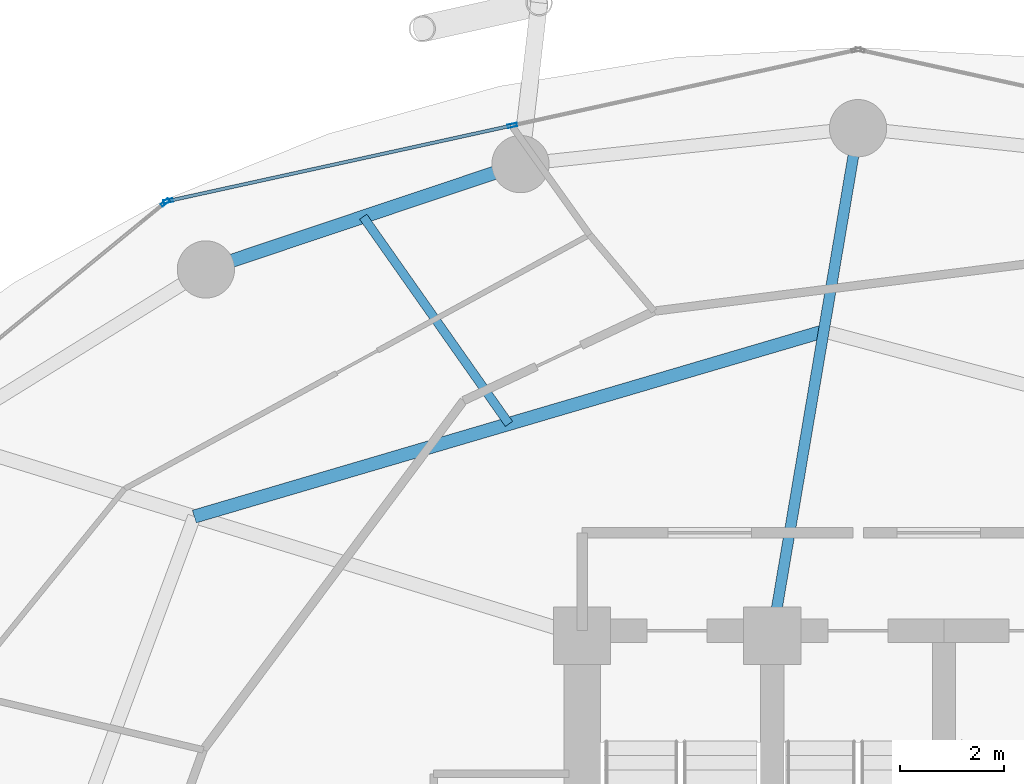
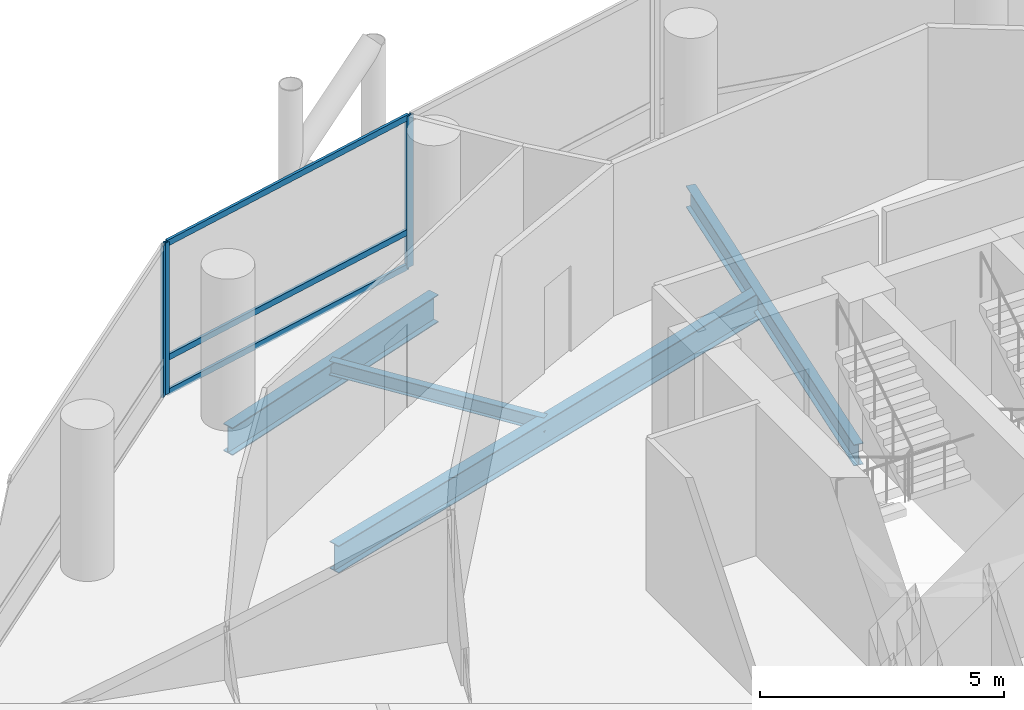
# One storey, part 15 of 24: 6 members, 4 beams, 2 elements without a shape of their own.
"""IFC4 building model written with IfcOpenShell, lengths in metres."""

import ifcopenshell
import ifcopenshell.guid

model = None  # the IFC model being written
_history = None  # IfcOwnerHistory: only IFC2X3 demands one
_inside = {}  # id of a spatial element -> (the spatial element, [elements in it])
_under = {}  # id of a project, library or spatial element -> (it, [spatial elements below it])
_declared = {}  # id of a project -> (the project, [libraries it declares])
_typed = {}  # id of a type object -> (the type object, [elements of that type])
_made_of = {}  # id of a material, layer set ... -> (it, [elements and type objects made of it])


def new_model(schema):
    """Start an empty IFC model of exactly this schema.

    Asked for "IFC4X3", IfcOpenShell would pick the latest addendum, in which some entities
    have other attributes; the version numbers below select the first issue.
    IFC2X3 requires an IfcOwnerHistory on every rooted entity: one is made here for all.
    """
    global model, _history
    if schema == "IFC4X3":
        model = ifcopenshell.file(schema_version=(4, 3, 0, 0))
    else:
        model = ifcopenshell.file(schema=schema)
    _inside.clear()
    _under.clear()
    _declared.clear()
    _typed.clear()
    _made_of.clear()
    _history = None
    if model.schema == "IFC2X3":
        org = make("IfcOrganization", Name="unknown")
        user = make(
            "IfcPersonAndOrganization",
            ThePerson=make("IfcPerson", FamilyName="unknown"),
            TheOrganization=org,
        )
        app = make(
            "IfcApplication",
            ApplicationDeveloper=org,
            Version="unknown",
            ApplicationFullName="unknown",
            ApplicationIdentifier="unknown",
        )
        _history = make(
            "IfcOwnerHistory",
            OwningUser=user,
            OwningApplication=app,
            ChangeAction="ADDED",
            CreationDate=0,
        )
    return model


def make(cls, **values):
    """One entity of the class cls with the attributes given. An attribute that is None is left unset."""
    return model.create_entity(
        cls, **{name: value for name, value in values.items() if value is not None}
    )


def rooted(cls, **values):
    """An entity with a GlobalId (a new one), such as an element, a storey or a relation."""
    return make(cls, GlobalId=ifcopenshell.guid.new(), OwnerHistory=_history, **values)


def si_unit(unit_type, name, prefix=None):
    """IfcSIUnit, for example si_unit("LENGTHUNIT", "METRE", prefix="MILLI")."""
    return make("IfcSIUnit", UnitType=unit_type, Prefix=prefix, Name=name)


def assignment(units):
    """IfcUnitAssignment: the units of a project."""
    return None if units is None else make("IfcUnitAssignment", Units=units)


def point(xyz):
    """IfcCartesianPoint."""
    return None if xyz is None else make("IfcCartesianPoint", Coordinates=xyz)


def direction(xyz):
    """IfcDirection."""
    return None if xyz is None else make("IfcDirection", DirectionRatios=xyz)


def frame(location, z_axis=None, x_axis=None):
    """IfcAxis2Placement3D, a coordinate frame: its origin and axes. An axis left out is left unset."""
    return make(
        "IfcAxis2Placement3D",
        Location=point(location),
        Axis=direction(z_axis),
        RefDirection=direction(x_axis),
    )


def frame_2d(location, x_axis=None):
    """IfcAxis2Placement2D, a coordinate frame in the plane: its origin and x axis."""
    return make(
        "IfcAxis2Placement2D", Location=point(location), RefDirection=direction(x_axis)
    )


def origin():
    """The frame at (0, 0, 0) with its axes left unset."""
    return frame((0.0, 0.0, 0.0))


def origin_2d():
    """The frame at (0, 0) in the plane with its x axis left unset."""
    return frame_2d((0.0, 0.0))


def place(relative_to, where):
    """IfcLocalPlacement: puts the frame where relative to a parent placement (None: the world)."""
    return make(
        "IfcLocalPlacement", PlacementRelTo=relative_to, RelativePlacement=where
    )


def context(
    kind, dimensions, precision=None, world=None, true_north=None, identifier=None
):
    """IfcGeometricRepresentationContext, for example the 3D "Model" context."""
    return make(
        "IfcGeometricRepresentationContext",
        ContextIdentifier=identifier,
        ContextType=kind,
        CoordinateSpaceDimension=dimensions,
        Precision=precision,
        WorldCoordinateSystem=world,
        TrueNorth=true_north,
    )


def subcontext(parent, identifier, kind, view, scale=None):
    """IfcGeometricRepresentationSubContext, for example "Body" below "Model"."""
    return make(
        "IfcGeometricRepresentationSubContext",
        ContextIdentifier=identifier,
        ContextType=kind,
        ParentContext=parent,
        TargetScale=scale,
        TargetView=view,
    )


def project(units=None, contexts=None):
    """IfcProject with its units and contexts."""
    return rooted(
        "IfcProject",
        Name="project",
        RepresentationContexts=contexts,
        UnitsInContext=assignment(units),
    )


def spatial(cls, under=None, at=None, **own):
    """A site, building, storey or space (cls), placed at a placement, below another one or the project."""
    s = rooted(cls, ObjectPlacement=at, **own)
    if under is not None:
        _under.setdefault(under.id(), (under, []))[1].append(s)
    return s


def profile(cls, at=None, kind="AREA", **sizes):
    """A parametric profile (cls). Its sizes go by their IFC names, for example OverallWidth=200.0."""
    return make(cls, ProfileType=kind, Position=at, **sizes)


def hollow_rectangle(**sizes):
    """IfcRectangleHollowProfileDef."""
    return profile("IfcRectangleHollowProfileDef", **sizes)


def i_section(**sizes):
    """IfcIShapeProfileDef."""
    return profile("IfcIShapeProfileDef", **sizes)


def extrude(swept, where, along, depth):
    """IfcExtrudedAreaSolid: the profile swept, set in the frame where, extruded along a direction by depth."""
    return make(
        "IfcExtrudedAreaSolid",
        SweptArea=swept,
        Position=where,
        ExtrudedDirection=direction(along),
        Depth=depth,
    )


def shape(context_of_items, identifier, shape_type, items):
    """IfcShapeRepresentation: the items that make up one representation, for example the "Body"."""
    return make(
        "IfcShapeRepresentation",
        ContextOfItems=context_of_items,
        RepresentationIdentifier=identifier,
        RepresentationType=shape_type,
        Items=items,
    )


def material(Name=None, Category=None):
    """IfcMaterial."""
    return make("IfcMaterial", Name=Name, Category=Category)


def layer(
    of_material, thickness, ventilated=None, Name=None, Category=None, Priority=None
):
    """IfcMaterialLayer: one layer of a wall or slab, of a material (None: an air gap)."""
    return make(
        "IfcMaterialLayer",
        Material=of_material,
        LayerThickness=thickness,
        IsVentilated=ventilated,
        Name=Name,
        Category=Category,
        Priority=Priority,
    )


def layer_set(layers, Name=None):
    """IfcMaterialLayerSet."""
    return make("IfcMaterialLayerSet", MaterialLayers=layers, LayerSetName=Name)


def material_profile(
    of_material, cross_section, Name=None, Category=None, Priority=None
):
    """IfcMaterialProfile: a cross section and its material."""
    return make(
        "IfcMaterialProfile",
        Name=Name,
        Material=of_material,
        Profile=cross_section,
        Priority=Priority,
        Category=Category,
    )


def profile_set(profiles, Name=None, composite=None):
    """IfcMaterialProfileSet."""
    return make(
        "IfcMaterialProfileSet",
        Name=Name,
        MaterialProfiles=profiles,
        CompositeProfile=composite,
    )


def made_of(thing, what):
    """Note that an element or type object is made of a material, layer set ...; save() writes the relation."""
    if what is not None:
        _made_of.setdefault(what.id(), (what, []))[1].append(thing)
    return thing


def type_object(cls, material=None, **own):
    """A type object (cls), such as IfcWallType, which elements share."""
    return made_of(rooted(cls, **own), material)


def element(
    cls,
    number,
    at=None,
    inside=None,
    cuts=None,
    type_object=None,
    material=None,
    context=None,
    identifier="Body",
    shape_type=None,
    held_by="IfcProductDefinitionShape",
    body=None,
    shapes=None,
    **own,
):
    """One element of the class cls, such as IfcWall. Its Tag is "e" and its number.

    at: its placement. inside: the storey or other place that contains it. cuts: it is an
    opening in that element (IfcRelVoidsElement). A single representation is given by context,
    identifier, shape_type and body (its items); several are given by shapes. held_by: the class
    of the entity that holds the representations. save() writes the other relations.
    """
    e = rooted(cls, Tag="e%d" % number, ObjectPlacement=at, **own)
    if body is not None:
        shapes = [shape(context, identifier, shape_type, body)]
    if shapes is not None:
        e.Representation = make(held_by, Representations=shapes)
    if inside is not None:
        _inside.setdefault(inside.id(), (inside, []))[1].append(e)
    if cuts is not None:
        rooted(
            "IfcRelVoidsElement", RelatingBuildingElement=cuts, RelatedOpeningElement=e
        )
    if type_object is not None:
        _typed.setdefault(type_object.id(), (type_object, []))[1].append(e)
    return made_of(e, material)


def aggregate(whole, parts):
    """IfcRelAggregates: a whole, such as a stair, and the parts it consists of."""
    return rooted("IfcRelAggregates", RelatingObject=whole, RelatedObjects=parts)


def save(model, path):
    """Write the relations noted so far, then the file.

    IfcRelAggregates (storeys below a building ...), IfcRelContainedInSpatialStructure (elements
    in a storey), IfcRelDefinesByType, IfcRelAssociatesMaterial and IfcRelDeclares: one each for
    every whole, place, type object, material and project.
    """
    for whole, parts in _under.values():
        aggregate(whole, parts)
    for where, things in _inside.values():
        rooted(
            "IfcRelContainedInSpatialStructure",
            RelatedElements=things,
            RelatingStructure=where,
        )
    for kind, things in _typed.values():
        rooted("IfcRelDefinesByType", RelatedObjects=things, RelatingType=kind)
    for what, things in _made_of.values():
        rooted("IfcRelAssociatesMaterial", RelatedObjects=things, RelatingMaterial=what)
    for by, libraries in _declared.values():
        rooted("IfcRelDeclares", RelatingContext=by, RelatedDefinitions=libraries)
    model.write(path)


model = new_model("IFC4")

# Units and contexts
model_context = context("Model", 3, precision=1e-05, world=origin(), true_north=direction((0.0, 1.0)))
body_context = subcontext(model_context, "Body", "Model", "MODEL_VIEW")
ifc_project = project(units=[si_unit("LENGTHUNIT", "METRE"), si_unit("AREAUNIT", "SQUARE_METRE"), si_unit("VOLUMEUNIT", "CUBIC_METRE"), si_unit("PLANEANGLEUNIT", "RADIAN"), si_unit("MASSUNIT", "GRAM", prefix="KILO")], contexts=[model_context])

# Site, building, storey
site_placement = place(None, origin())
site = spatial("IfcSite", under=ifc_project, at=site_placement, CompositionType="ELEMENT")
building_placement = place(site_placement, origin())
building = spatial("IfcBuilding", under=site, at=building_placement, Name="Nuhasar Tower", CompositionType="ELEMENT")
storey_placement = place(building_placement, frame((0.0, 0.0, 81.75)))
storey = spatial("IfcBuildingStorey", under=building, at=storey_placement, Name="L19", CompositionType="ELEMENT", Elevation=81.75)

# Beams
ifc_material_1 = material(Name="Steel S355", Category="steel")
ifc_material_profile_1 = material_profile(ifc_material_1, i_section(OverallWidth=0.25390625, OverallDepth=0.68408203125, WebThickness=0.012451171875, FlangeThickness=0.018798828125, at=origin_2d()), Name="W27X94")
ifc_profile_set_1 = profile_set([ifc_material_profile_1], Name="Steel S355")
beam_type_1 = type_object("IfcBeamType", Name="BM-INRING-W27X94", PredefinedType="BEAM", material=ifc_profile_set_1)
beam_1_placement = place(storey_placement, frame((38.340087890625, 43.14990234375, -0.592041015625), z_axis=(-0.959290190666, -0.28242225495, 0.0), x_axis=(0.28242225495, -0.959290190666, 0.0)))
element("IfcBeam", 1, at=beam_1_placement, inside=storey, type_object=beam_type_1, Name="L19 Inner Header Beam 06", PredefinedType="BEAM", context=body_context, shape_type="SweptSolid", body=[
    extrude(i_section(OverallWidth=0.25390625, OverallDepth=0.68408203125, WebThickness=0.012451171875, FlangeThickness=0.018798828125, at=origin_2d()), origin(), (0.0, 0.0, 1.0), 12.60107421875),
])
ifc_material_profile_2 = material_profile(ifc_material_1, i_section(OverallWidth=0.1708984375, OverallDepth=0.35205078125, WebThickness=0.0068359375, FlangeThickness=0.009765625, at=origin_2d()), Name="W14X30")
ifc_profile_set_2 = profile_set([ifc_material_profile_2], Name="Steel S355")
beam_type_2 = type_object("IfcBeamType", Name="BM-JST-W14X30", PredefinedType="JOIST", material=ifc_profile_set_2)
beam_2_placement = place(storey_placement, frame((32.2958984375, 41.3701171875, -0.426025390625), z_axis=(-0.575461088141, 0.817829160666, 0.0), x_axis=(-0.817829160666, -0.575461088141, 0.0)))
element("IfcBeam", 2, at=beam_2_placement, inside=storey, type_object=beam_type_2, Name="L19 Secondary Floor Joist 06", PredefinedType="JOIST", context=body_context, shape_type="SweptSolid", body=[
    extrude(i_section(OverallWidth=0.1708984375, OverallDepth=0.35205078125, WebThickness=0.0068359375, FlangeThickness=0.009765625, at=origin_2d()), origin(), (0.0, 0.0, 1.0), 4.865234375),
])
ifc_material_profile_3 = material_profile(ifc_material_1, i_section(OverallWidth=0.208984375, OverallDepth=0.532958984375, WebThickness=0.01025390625, FlangeThickness=0.015625, at=origin_2d()), Name="W21X62")
ifc_profile_set_3 = profile_set([ifc_material_profile_3], Name="Steel S355")
beam_type_3 = type_object("IfcBeamType", Name="BM-RAD-W21X62", PredefinedType="BEAM", material=ifc_profile_set_3)
beam_3_placement = place(storey_placement, frame((37.35009765625, 37.300048828125, -0.51611328125), z_axis=(0.166848703013, 0.98598251014, 0.0), x_axis=(-0.98598251014, 0.166848703013, 0.0)))
element("IfcBeam", 3, at=beam_3_placement, inside=storey, type_object=beam_type_3, Name="L19 Radial Floor Girder 06", PredefinedType="BEAM", context=body_context, shape_type="SweptSolid", body=[
    extrude(i_section(OverallWidth=0.208984375, OverallDepth=0.532958984375, WebThickness=0.01025390625, FlangeThickness=0.015625, at=origin_2d()), origin(), (0.0, 0.0, 1.0), 9.888671875),
])
ifc_material_profile_4 = material_profile(ifc_material_1, i_section(OverallWidth=0.256103515625, OverallDepth=0.693115234375, WebThickness=0.014404296875, FlangeThickness=0.023681640625, at=origin_2d()), Name="W27X114")
ifc_profile_set_4 = profile_set([ifc_material_profile_4], Name="Steel S355")
beam_type_4 = type_object("IfcBeamType", Name="BM-RING-W27X114", PredefinedType="SPANDREL", material=ifc_profile_set_4)
beam_4_placement = place(storey_placement, frame((32.51708984375, 46.360107421875, -0.596923828125), z_axis=(-0.948249435708, -0.317526388949, 0.0), x_axis=(0.317526388949, -0.948249435708, 0.0)))
element("IfcBeam", 4, at=beam_4_placement, inside=storey, type_object=beam_type_4, Name="L19 Perimeter Ring Spandrel 08", PredefinedType="SPANDREL", context=body_context, shape_type="SweptSolid", body=[
    extrude(i_section(OverallWidth=0.256103515625, OverallDepth=0.693115234375, WebThickness=0.014404296875, FlangeThickness=0.023681640625, at=origin_2d()), origin(), (0.0, 0.0, 1.0), 6.371826171875),
])

# Curtain wall, members
ifc_material_2 = material(Name="Aluminium 6063-T6", Category="aluminium")
ifc_layer = layer(ifc_material_2, 0.199951171875)
ifc_layer_set = layer_set([ifc_layer], Name="Aluminium 6063-T6")
curtain_wall_type = type_object("IfcCurtainWallType", Name="CW-Z1-OFF", PredefinedType="NOTDEFINED", material=ifc_layer_set)
curtain_wall_1_placement = place(storey_placement, origin())
curtain_wall_1 = element("IfcCurtainWall", 5, at=curtain_wall_1_placement, inside=storey, type_object=curtain_wall_type, Name="L19 Unitised Curtain Wall 04", PredefinedType="NOTDEFINED")
ifc_material_profile_5 = material_profile(ifc_material_2, hollow_rectangle(XDim=0.06494140625, YDim=0.179931640625, WallThickness=0.0048828125, at=origin_2d()), Name="CWM-2")
ifc_profile_set_5 = profile_set([ifc_material_profile_5], Name="Aluminium 6063-T6")
member_type_1 = type_object("IfcMemberType", Name="CW-MUL-S2", PredefinedType="MULLION", material=ifc_profile_set_5)
member_1_placement = place(storey_placement, frame((32.360107421875, 47.1025390625, 0.0), z_axis=(0.0, 0.0, 1.0), x_axis=(0.214398737637, -0.976746221544, 0.0)))
member_1 = element("IfcMember", 6, at=member_1_placement, type_object=member_type_1, Name="CW-Z1 mullion 2", PredefinedType="MULLION", context=body_context, shape_type="SweptSolid", body=[
    extrude(hollow_rectangle(XDim=0.06494140625, YDim=0.179931640625, WallThickness=0.0048828125, at=origin_2d()), origin(), (0.0, 0.0, 1.0), 3.800048828125),
])
member_2_placement = place(storey_placement, frame((25.751708984375, 45.65185546875, 0.0), z_axis=(0.0, 0.0, 1.0), x_axis=(0.214398737637, -0.976746221544, 0.0)))
member_2 = element("IfcMember", 7, at=member_2_placement, type_object=member_type_1, Name="CW-Z1 mullion 3", PredefinedType="MULLION", context=body_context, shape_type="SweptSolid", body=[
    extrude(hollow_rectangle(XDim=0.06494140625, YDim=0.179931640625, WallThickness=0.0048828125, at=origin_2d()), origin(), (0.0, 0.0, 1.0), 3.800048828125),
])

# Curtain wall, member
curtain_wall_2_placement = place(storey_placement, origin())
curtain_wall_2 = element("IfcCurtainWall", 8, at=curtain_wall_2_placement, inside=storey, type_object=curtain_wall_type, Name="L19 Unitised Curtain Wall 05", PredefinedType="NOTDEFINED")
member_3_placement = place(storey_placement, frame((25.69482421875, 45.62451171875, 0.0), z_axis=(0.0, 0.0, 1.0), x_axis=(0.633744593376, -0.773542364946, 0.0)))
member_3 = element("IfcMember", 9, at=member_3_placement, type_object=member_type_1, Name="CW-Z1 mullion 1", PredefinedType="MULLION", context=body_context, shape_type="SweptSolid", body=[
    extrude(hollow_rectangle(XDim=0.06494140625, YDim=0.179931640625, WallThickness=0.0048828125, at=origin_2d()), origin(), (0.0, 0.0, 1.0), 3.800048828125),
])
aggregate(curtain_wall_2, [member_3])

# Member
ifc_material_profile_6 = material_profile(ifc_material_2, hollow_rectangle(XDim=0.06494140625, YDim=0.14990234375, WallThickness=0.00439453125, at=origin_2d()), Name="CWT-2")
ifc_profile_set_6 = profile_set([ifc_material_profile_6], Name="Aluminium 6063-T6")
member_type_2 = type_object("IfcMemberType", Name="CW-TRN-S2", PredefinedType="USERDEFINED", material=ifc_profile_set_6)
member_4_placement = place(storey_placement, frame((32.328369140625, 47.095458984375, 0.032470703125), z_axis=(-0.976749553792, -0.214383556196, 0.0), x_axis=(0.214383556196, -0.976749553792, 0.0)))
member_4 = element("IfcMember", 10, at=member_4_placement, type_object=member_type_2, Name="CW-Z1 transom 2.1", ObjectType="TRANSOM", PredefinedType="USERDEFINED", context=body_context, shape_type="SweptSolid", body=[
    extrude(hollow_rectangle(XDim=0.06494140625, YDim=0.14990234375, WallThickness=0.00439453125, at=origin_2d()), origin(), (0.0, 0.0, 1.0), 6.70068359375),
])

member_5_placement = place(storey_placement, frame((32.328369140625, 47.095458984375, 0.89990234375), z_axis=(-0.976749553792, -0.214383556196, 0.0), x_axis=(0.214383556196, -0.976749553792, 0.0)))
member_5 = element("IfcMember", 11, at=member_5_placement, type_object=member_type_2, Name="CW-Z1 transom 2.2", ObjectType="TRANSOM", PredefinedType="USERDEFINED", context=body_context, shape_type="SweptSolid", body=[
    extrude(hollow_rectangle(XDim=0.06494140625, YDim=0.14990234375, WallThickness=0.00439453125, at=origin_2d()), origin(), (0.0, 0.0, 1.0), 6.70068359375),
])

member_6_placement = place(storey_placement, frame((32.328369140625, 47.095458984375, 3.767578125), z_axis=(-0.976749553792, -0.214383556196, 0.0), x_axis=(0.214383556196, -0.976749553792, 0.0)))
member_6 = element("IfcMember", 12, at=member_6_placement, type_object=member_type_2, Name="CW-Z1 transom 2.3", ObjectType="TRANSOM", PredefinedType="USERDEFINED", context=body_context, shape_type="SweptSolid", body=[
    extrude(hollow_rectangle(XDim=0.06494140625, YDim=0.14990234375, WallThickness=0.00439453125, at=origin_2d()), origin(), (0.0, 0.0, 1.0), 6.70068359375),
])

aggregate(curtain_wall_1, [member_1, member_2, member_4, member_5, member_6])

save(model, "model.ifc")
